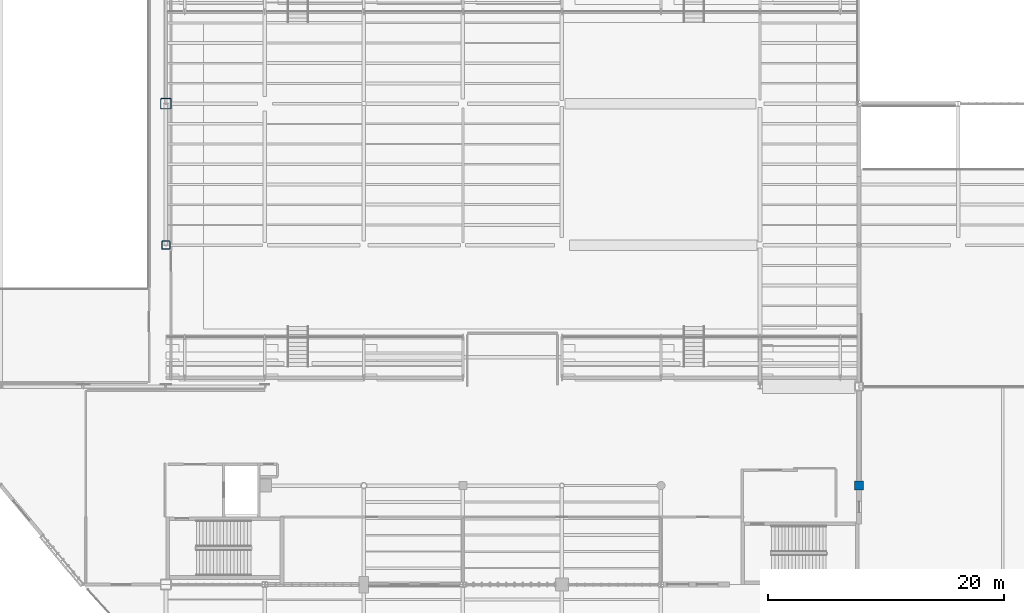
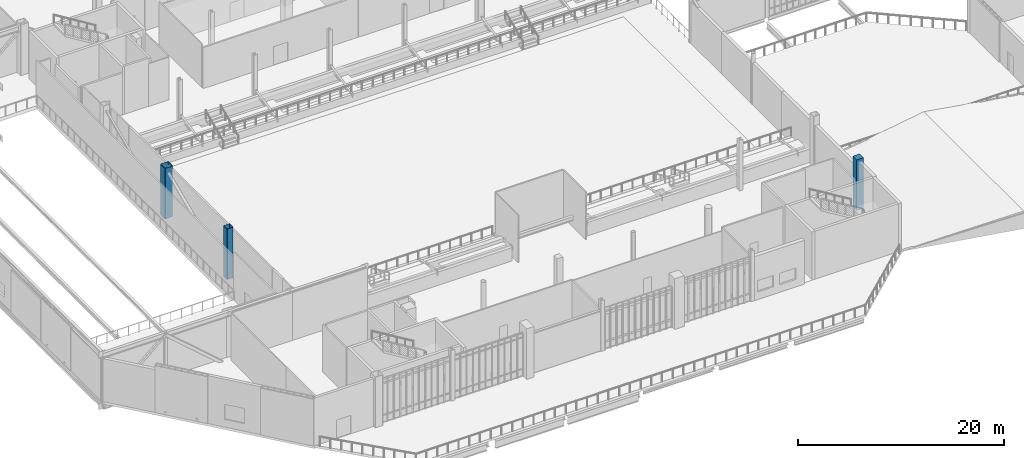
# One storey, part 2 of 135: 3 columns.
"""IFC4 building model written with IfcOpenShell, lengths in metres."""

from ifc_helpers import new_model, si_unit, direction, frame, origin, origin_2d, place, context, subcontext, project, spatial, rectangle, hollow_rectangle, extrude, material, material_profile, profile_set, type_object, element, save


model = new_model("IFC4")

# Units and contexts
model_context = context("Model", 3, precision=1e-05, world=origin(), true_north=direction((0.0, 1.0)))
body_context = subcontext(model_context, "Body", "Model", "MODEL_VIEW")
ifc_project = project(units=[si_unit("LENGTHUNIT", "METRE"), si_unit("AREAUNIT", "SQUARE_METRE"), si_unit("VOLUMEUNIT", "CUBIC_METRE"), si_unit("PLANEANGLEUNIT", "RADIAN"), si_unit("MASSUNIT", "GRAM", prefix="KILO")], contexts=[model_context])

# Site, building, storey
site_placement = place(None, origin())
site = spatial("IfcSite", under=ifc_project, at=site_placement, CompositionType="ELEMENT")
building_placement = place(site_placement, origin())
building = spatial("IfcBuilding", under=site, at=building_placement, Name="Larkvane Passage Sports Hall", CompositionType="ELEMENT")
storey_placement = place(building_placement, frame((0.0, 0.0, 10.800048828125)))
storey = spatial("IfcBuildingStorey", under=building, at=storey_placement, Name="L02", CompositionType="ELEMENT", Elevation=10.800048828125)

# Columns
ifc_material_1 = material(Name="Concrete C40/50", Category="concrete")
ifc_material_profile_1 = material_profile(ifc_material_1, rectangle(XDim=0.75, YDim=0.75, at=origin_2d()), Name="RC-COL-750x750")
ifc_profile_set_1 = profile_set([ifc_material_profile_1], Name="Concrete C40/50")
column_type_1 = type_object("IfcColumnType", Name="COL-RC-750", PredefinedType="COLUMN", material=ifc_profile_set_1)
column_1_placement = place(storey_placement, frame((93.60009765625, 31.199951171875, 0.0), z_axis=(0.0, 0.0, 1.0), x_axis=(1.0, 0.0, 0.0)))
element("IfcColumn", 1, at=column_1_placement, inside=storey, type_object=column_type_1, Name="Column 13/E L02", PredefinedType="COLUMN", context=body_context, shape_type="SweptSolid", body=[
    extrude(rectangle(XDim=0.75, YDim=0.75, at=origin_2d()), origin(), (0.0, 0.0, 1.0), 6.0),
])
ifc_material_2 = material(Name="Steel S460N", Category="steel")
ifc_material_profile_2 = material_profile(ifc_material_2, hollow_rectangle(XDim=0.699951171875, YDim=0.699951171875, WallThickness=0.028076171875, InnerFilletRadius=0.028076171875, OuterFilletRadius=0.055908203125, at=origin_2d()), Name="BOX-700x700x28")
ifc_profile_set_2 = profile_set([ifc_material_profile_2], Name="Steel S460N")
column_type_2 = type_object("IfcColumnType", Name="COL-STL-BOX700", PredefinedType="COLUMN", material=ifc_profile_set_2)
column_2_placement = place(storey_placement, frame((34.800048828125, 51.60009765625, 0.0), z_axis=(0.0, 0.0, 1.0), x_axis=(1.0, 0.0, 0.0)))
element("IfcColumn", 2, at=column_2_placement, inside=storey, type_object=column_type_2, Name="Column 6/G L02", PredefinedType="COLUMN", context=body_context, shape_type="SweptSolid", body=[
    extrude(hollow_rectangle(XDim=0.699951171875, YDim=0.699951171875, WallThickness=0.028076171875, InnerFilletRadius=0.028076171875, OuterFilletRadius=0.055908203125, at=origin_2d()), origin(), (0.0, 0.0, 1.0), 6.0),
])
ifc_material_profile_3 = material_profile(ifc_material_2, hollow_rectangle(XDim=0.89990234375, YDim=0.89990234375, WallThickness=0.035888671875, InnerFilletRadius=0.035888671875, OuterFilletRadius=0.072021484375, at=origin_2d()), Name="BOX-900x900x36")
ifc_profile_set_3 = profile_set([ifc_material_profile_3], Name="Steel S460N")
column_type_3 = type_object("IfcColumnType", Name="COL-STL-BOX900", PredefinedType="COLUMN", material=ifc_profile_set_3)
column_3_placement = place(storey_placement, frame((34.800048828125, 63.60009765625, 0.0), z_axis=(0.0, 0.0, 1.0), x_axis=(1.0, 0.0, 0.0)))
element("IfcColumn", 3, at=column_3_placement, inside=storey, type_object=column_type_3, Name="Column 6/H L02", PredefinedType="COLUMN", context=body_context, shape_type="SweptSolid", body=[
    extrude(hollow_rectangle(XDim=0.89990234375, YDim=0.89990234375, WallThickness=0.035888671875, InnerFilletRadius=0.035888671875, OuterFilletRadius=0.072021484375, at=origin_2d()), origin(), (0.0, 0.0, 1.0), 6.0),
])

save(model, "model.ifc")
